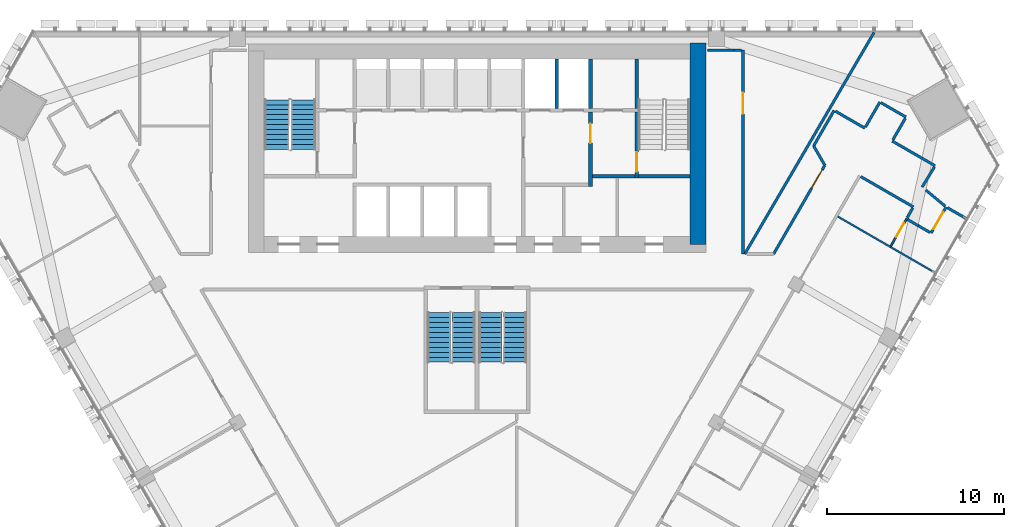
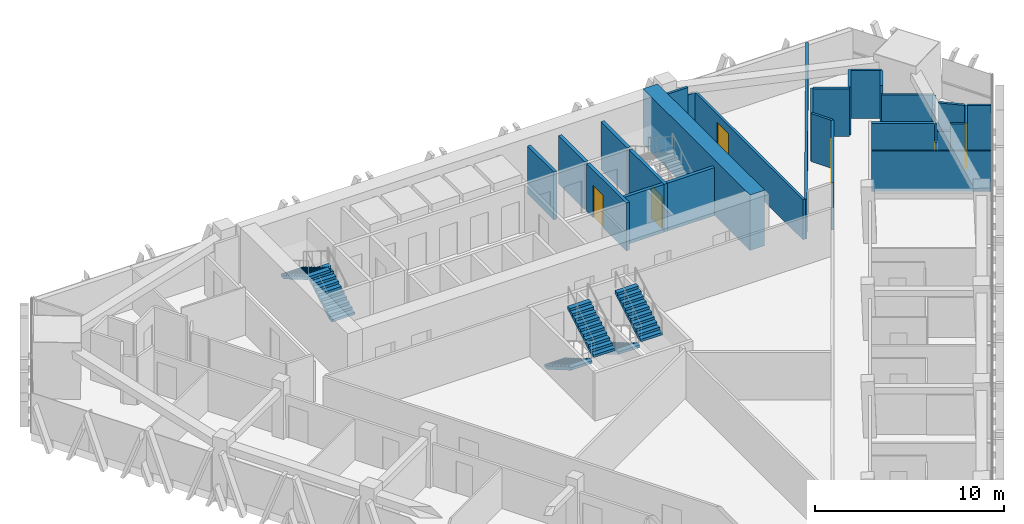
# One storey, part 12 of 16: 30 walls, 6 doors, 6 stair flights, 6 openings, 3 elements without a shape of their own.
"""IFC4 building model written with IfcOpenShell, lengths in metres."""

from ifc_helpers import new_model, si_unit, direction, frame, frame_2d, origin, place, context, subcontext, project, spatial, polyline, rectangle, outline, extrude, material, layer, layer_set, type_object, element, fill, aggregate, save


model = new_model("IFC4")

# Units and contexts
model_context = context("Model", 3, precision=1e-05, world=origin(), true_north=direction((0.0, 1.0)))
body_context = subcontext(model_context, "Body", "Model", "MODEL_VIEW")
ifc_project = project(units=[si_unit("LENGTHUNIT", "METRE"), si_unit("AREAUNIT", "SQUARE_METRE"), si_unit("VOLUMEUNIT", "CUBIC_METRE"), si_unit("PLANEANGLEUNIT", "RADIAN"), si_unit("MASSUNIT", "GRAM", prefix="KILO")], contexts=[model_context])

# Site, building, storey
site_placement = place(None, origin())
site = spatial("IfcSite", under=ifc_project, at=site_placement, CompositionType="ELEMENT")
building_placement = place(site_placement, origin())
building = spatial("IfcBuilding", under=site, at=building_placement, Name="Altiplano Prism Tower", CompositionType="ELEMENT")
storey_placement = place(building_placement, frame((0.0, 0.0, 84.60009765625)))
storey = spatial("IfcBuildingStorey", under=building, at=storey_placement, Name="L21", CompositionType="ELEMENT", Elevation=84.60009765625)

# Wall
ifc_material_1 = material(Name="Concrete C70/85", Category="concrete")
ifc_layer_1 = layer(ifc_material_1, 0.89990234375)
ifc_layer_set_1 = layer_set([ifc_layer_1], Name="Concrete C70/85")
wall_type_1 = type_object("IfcWallType", Name="Core wall 900", PredefinedType="SHEAR", material=ifc_layer_set_1)
wall_1_placement = place(storey_placement, frame((97.449951171875, 92.949951171875, 0.0), z_axis=(0.0, 0.0, 1.0), x_axis=(0.0, 1.0, 0.0)))
element("IfcWall", 1, at=wall_1_placement, inside=storey, type_object=wall_type_1, Name="Core wall E L21", PredefinedType="SHEAR", context=body_context, shape_type="SweptSolid", body=[
    extrude(rectangle(XDim=11.35009765625, YDim=0.89990234375, at=frame_2d((5.675048828125, 0.0))), origin(), (0.0, 0.0, 1.0), 3.599853515625),
])

# Wall, opening, door
ifc_material_2 = material(Name="Plasterboard on steel stud", Category="steel")
ifc_layer_2 = layer(ifc_material_2, 0.10009765625)
ifc_layer_set_2 = layer_set([ifc_layer_2], Name="Plasterboard on steel stud")
wall_type_2 = type_object("IfcWallType", Name="Partition 100 unit", PredefinedType="PARTITIONING", material=ifc_layer_set_2)
wall_2_placement = place(storey_placement, frame((109.229736328125, 94.40087890625, 0.0), z_axis=(0.0, 0.0, 1.0), x_axis=(-0.499962169188, -0.866047244312, 0.0)))
wall_2 = element("IfcWall", 2, at=wall_2_placement, inside=storey, type_object=wall_type_2, Name="Partition P02 L21 075", PredefinedType="PARTITIONING", context=body_context, shape_type="SweptSolid", body=[
    extrude(rectangle(XDim=1.792724609375, YDim=0.10009765625, at=frame_2d((0.896484375, 0.0))), origin(), (0.0, 0.0, 1.0), 3.099853515625),
])
opening_1_placement = place(wall_2_placement, frame((0.2919921875, 0.0, 0.0)))
opening_1 = element("IfcOpeningElement", 3, at=opening_1_placement, cuts=wall_2, Name="Opening D0809", PredefinedType="OPENING", context=body_context, shape_type="SweptSolid", body=[
    extrude(rectangle(XDim=0.89990234375, YDim=2.10009765625, at=frame_2d((0.449951171875, 1.050048828125))), frame((0.0, 0.060546875, 0.0), z_axis=(0.0, -1.0, 0.0), x_axis=(1.0, 0.0, 0.0)), (0.0, 0.0, 1.0), 0.12109375),
])
ifc_material_3 = material(Name="Timber", Category="wood")
door_type_1 = type_object("IfcDoorType", Name="Accessible ensuite door 900 x 2100", OperationType="NOTDEFINED", PredefinedType="NOTDEFINED", material=ifc_material_3)
door_1_placement = place(opening_1_placement, origin())
door_1 = element("IfcDoor", 4, at=door_1_placement, inside=storey, type_object=door_type_1, Name="Door D0809", OperationType="SINGLE_SWING_LEFT", OverallHeight=2.10009765625, OverallWidth=0.89990234375, PredefinedType="NOTDEFINED", context=body_context, shape_type="SweptSolid", body=[
    extrude(rectangle(XDim=0.89990234375, YDim=2.10009765625, at=frame_2d((0.449951171875, 1.050048828125))), frame((0.0, 0.02490234375, 0.0), z_axis=(0.0, -1.0, 0.0), x_axis=(1.0, 0.0, 0.0)), (0.0, 0.0, 1.0), 0.050048828125),
])
fill(opening_1, door_1)

# Walls
ifc_layer_3 = layer(ifc_material_2, 0.10009765625)
ifc_layer_set_3 = layer_set([ifc_layer_3], Name="Plasterboard on steel stud")
wall_type_3 = type_object("IfcWallType", Name="Partition 100 wet", PredefinedType="PARTITIONING", material=ifc_layer_set_3)
wall_3_placement = place(storey_placement, frame((110.837646484375, 91.344970703125, 0.0), z_axis=(0.0, 0.0, 1.0), x_axis=(-0.866025401434, 0.500000004071, 0.0)))
element("IfcWall", 5, at=wall_3_placement, inside=storey, type_object=wall_type_3, Name="Partition P03 L21 074", PredefinedType="PARTITIONING", context=body_context, shape_type="SweptSolid", body=[
    extrude(rectangle(XDim=6.34521484375, YDim=0.10009765625, at=frame_2d((3.172607421875, 0.0))), origin(), (0.0, 0.0, 1.0), 2.599853515625),
])
ifc_layer_4 = layer(ifc_material_2, 0.14990234375)
ifc_layer_set_4 = layer_set([ifc_layer_4], Name="Plasterboard on steel stud")
wall_type_4 = type_object("IfcWallType", Name="Partition 150 corridor", PredefinedType="PARTITIONING", material=ifc_layer_set_4)
wall_4_placement = place(storey_placement, frame((109.26318359375, 94.3583984375, 0.0), z_axis=(0.0, 0.0, 1.0), x_axis=(0.865999022067, -0.500045691691, 0.0)))
element("IfcWall", 6, at=wall_4_placement, inside=storey, type_object=wall_type_4, Name="Partition P06 L21 019", PredefinedType="PARTITIONING", context=body_context, shape_type="SweptSolid", body=[
    extrude(rectangle(XDim=0.71923828125, YDim=0.14990234375, at=frame_2d((0.359619140625, 0.0))), origin(), (0.0, 0.0, 1.0), 2.599853515625),
])
wall_5_placement = place(storey_placement, frame((109.885986328125, 93.998779296875, 0.0), z_axis=(0.0, 0.0, 1.0), x_axis=(0.866147934042, -0.499787711288, 0.0)))
element("IfcWall", 7, at=wall_5_placement, inside=storey, type_object=wall_type_4, Name="Partition P06 L21 020", PredefinedType="PARTITIONING", context=body_context, shape_type="SweptSolid", body=[
    extrude(rectangle(XDim=0.755615234375, YDim=0.14990234375, at=frame_2d((0.3779296875, 0.0))), origin(), (0.0, 0.0, 1.0), 3.099853515625),
])

# Wall, opening, door
wall_6_placement = place(storey_placement, frame((110.60546875, 93.58349609375, 0.0), z_axis=(0.0, 0.0, 1.0), x_axis=(0.500062241894, 0.865989465428, 0.0)))
wall_6 = element("IfcWall", 8, at=wall_6_placement, inside=storey, type_object=wall_type_4, Name="Partition P06 L21 021", PredefinedType="PARTITIONING", context=body_context, shape_type="SweptSolid", body=[
    extrude(rectangle(XDim=1.699951171875, YDim=0.14990234375, at=frame_2d((0.85009765625, 0.0))), origin(), (0.0, 0.0, 1.0), 3.099853515625),
])
opening_2_placement = place(wall_6_placement, frame((0.27294921875, 0.0, 0.0)))
opening_2 = element("IfcOpeningElement", 9, at=opening_2_placement, cuts=wall_6, Name="Opening D0808", PredefinedType="OPENING", context=body_context, shape_type="SweptSolid", body=[
    extrude(rectangle(XDim=1.10009765625, YDim=2.10009765625, at=frame_2d((0.550048828125, 1.050048828125))), frame((0.0, 0.08544921875, 0.0), z_axis=(0.0, -1.0, 0.0), x_axis=(1.0, 0.0, 0.0)), (0.0, 0.0, 1.0), 0.1708984375),
])
door_type_2 = type_object("IfcDoorType", Name="Accessible bedroom door 1100 x 2100", OperationType="NOTDEFINED", PredefinedType="NOTDEFINED", material=ifc_material_3)
door_2_placement = place(opening_2_placement, origin())
door_2 = element("IfcDoor", 10, at=door_2_placement, inside=storey, type_object=door_type_2, Name="Door D0808", OperationType="SINGLE_SWING_LEFT", OverallHeight=2.10009765625, OverallWidth=1.10009765625, PredefinedType="NOTDEFINED", context=body_context, shape_type="SweptSolid", body=[
    extrude(rectangle(XDim=1.10009765625, YDim=2.10009765625, at=frame_2d((0.550048828125, 1.050048828125))), frame((0.0, 0.02490234375, 0.0), z_axis=(0.0, -1.0, 0.0), x_axis=(1.0, 0.0, 0.0)), (0.0, 0.0, 1.0), 0.050048828125),
])
fill(opening_2, door_2)

# Walls
wall_7_placement = place(storey_placement, frame((106.642578125, 96.769287109375, 0.0), z_axis=(0.0, 0.0, 1.0), x_axis=(0.866032454348, -0.499987787867, 0.0)))
element("IfcWall", 11, at=wall_7_placement, inside=storey, type_object=wall_type_4, Name="Partition P06 L21 022", PredefinedType="PARTITIONING", context=body_context, shape_type="SweptSolid", body=[
    extrude(rectangle(XDim=3.4248046875, YDim=0.14990234375, at=frame_2d((1.71240234375, 0.0))), origin(), (0.0, 0.0, 1.0), 2.599853515625),
])
wall_8_placement = place(storey_placement, frame((109.571044921875, 94.991943359375, 0.0), z_axis=(0.0, 0.0, 1.0), x_axis=(-0.499946979623, -0.86605601295, 0.0)))
element("IfcWall", 12, at=wall_8_placement, inside=storey, type_object=wall_type_4, Name="Partition P06 L21 023", PredefinedType="PARTITIONING", context=body_context, shape_type="SweptSolid", body=[
    extrude(rectangle(XDim=0.62744140625, YDim=0.14990234375, at=frame_2d((0.313720703125, 0.0))), origin(), (0.0, 0.0, 1.0), 2.599853515625),
])
wall_9_placement = place(storey_placement, frame((111.398681640625, 95.10302734375, 0.0), z_axis=(0.0, 0.0, 1.0), x_axis=(-0.768628678723, 0.639695204175, 0.0)))
element("IfcWall", 13, at=wall_9_placement, inside=storey, type_object=wall_type_4, Name="Partition P06 L21 024", PredefinedType="PARTITIONING", context=body_context, shape_type="SweptSolid", body=[
    extrude(rectangle(XDim=1.423828125, YDim=0.14990234375, at=frame_2d((0.7119140625, 0.0))), origin(), (0.0, 0.0, 1.0), 3.099853515625),
])
wall_10_placement = place(storey_placement, frame((110.1044921875, 96.18017578125, 0.0), z_axis=(0.0, 0.0, 1.0), x_axis=(0.519795010513, 0.854291020113, 0.0)))
element("IfcWall", 14, at=wall_10_placement, inside=storey, type_object=wall_type_4, Name="Partition P06 L21 025", PredefinedType="PARTITIONING", context=body_context, shape_type="SweptSolid", body=[
    extrude(rectangle(XDim=1.325439453125, YDim=0.14990234375, at=frame_2d((0.66259765625, 0.0))), origin(), (0.0, 0.0, 1.0), 2.599853515625),
])
wall_11_placement = place(storey_placement, frame((110.833251953125, 97.3779296875, 0.0), z_axis=(0.0, 0.0, 1.0), x_axis=(-0.866008041136, 0.500030071784, 0.0)))
element("IfcWall", 15, at=wall_11_placement, inside=storey, type_object=wall_type_4, Name="Partition P06 L21 026", PredefinedType="PARTITIONING", context=body_context, shape_type="SweptSolid", body=[
    extrude(rectangle(XDim=2.793701171875, YDim=0.14990234375, at=frame_2d((1.39697265625, 0.0))), origin(), (0.0, 0.0, 1.0), 2.599853515625),
])
wall_12_placement = place(storey_placement, frame((108.451416015625, 98.83984375, 0.0), z_axis=(0.0, 0.0, 1.0), x_axis=(0.499967986367, 0.866043886075, 0.0)))
element("IfcWall", 16, at=wall_12_placement, inside=storey, type_object=wall_type_4, Name="Partition P06 L21 027", PredefinedType="PARTITIONING", context=body_context, shape_type="SweptSolid", body=[
    extrude(rectangle(XDim=1.40576171875, YDim=0.14990234375, at=frame_2d((0.702880859375, 0.0))), origin(), (0.0, 0.0, 1.0), 3.099853515625),
])
for number, where, z_axis, x_axis, name in (
    (17, (109.191650390625, 100.122314453125, 0.0), (0.0, 0.0, 1.0), (-0.866015446554, 0.500017246033, 0.0), "Partition P06 L21 028"),
    (18, (107.719482421875, 100.97216796875, 0.0), (0.0, 0.0, 1.0), (-0.500017246033, -0.866015446554, 0.0), "Partition P06 L21 029"),
):
    element("IfcWall", number, at=place(storey_placement, frame(where, z_axis=z_axis, x_axis=x_axis)), inside=storey, type_object=wall_type_4, Name=name, PredefinedType="PARTITIONING", context=body_context, shape_type="SweptSolid", body=[
        extrude(rectangle(XDim=1.625, YDim=0.14990234375, at=frame_2d((0.8125, 0.0))), origin(), (0.0, 0.0, 1.0), 3.099853515625),
    ])
wall_13_placement = place(storey_placement, frame((106.869384765625, 99.5, 0.0), z_axis=(0.0, 0.0, 1.0), x_axis=(-0.866033512162, 0.499985955615, 0.0)))
element("IfcWall", 19, at=wall_13_placement, inside=storey, type_object=wall_type_4, Name="Partition P06 L21 030", PredefinedType="PARTITIONING", context=body_context, shape_type="SweptSolid", body=[
    extrude(rectangle(XDim=1.9248046875, YDim=0.14990234375, at=frame_2d((0.96240234375, 0.0))), origin(), (0.0, 0.0, 1.0), 3.099853515625),
])
wall_14_placement = place(storey_placement, frame((105.137451171875, 100.5, 0.0), z_axis=(0.0, 0.0, 1.0), x_axis=(-0.500027479704, -0.866009537788, 0.0)))
element("IfcWall", 20, at=wall_14_placement, inside=storey, type_object=wall_type_4, Name="Partition P06 L21 031", PredefinedType="PARTITIONING", context=body_context, shape_type="SweptSolid", body=[
    extrude(rectangle(XDim=2.309326171875, YDim=0.14990234375, at=frame_2d((1.15478515625, 0.0))), origin(), (0.0, 0.0, 1.0), 3.099853515625),
])
wall_15_placement = place(storey_placement, frame((103.982666015625, 98.5, 0.0), z_axis=(0.0, 0.0, 1.0), x_axis=(0.500068251969, -0.865985994906, 0.0)))
element("IfcWall", 21, at=wall_15_placement, inside=storey, type_object=wall_type_4, Name="Partition P06 L21 032", PredefinedType="PARTITIONING", context=body_context, shape_type="SweptSolid", body=[
    extrude(rectangle(XDim=1.262939453125, YDim=0.14990234375, at=frame_2d((0.63134765625, 0.0))), origin(), (0.0, 0.0, 1.0), 3.099853515625),
])

# Wall, opening, door
wall_16_placement = place(storey_placement, frame((104.6142578125, 97.40625, 0.0), z_axis=(0.0, 0.0, 1.0), x_axis=(-0.4999954192, -0.866028048494, 0.0)))
wall_16 = element("IfcWall", 22, at=wall_16_placement, inside=storey, type_object=wall_type_4, Name="Partition P06 L21 033", PredefinedType="PARTITIONING", context=body_context, shape_type="SweptSolid", body=[
    extrude(rectangle(XDim=5.78076171875, YDim=0.14990234375, at=frame_2d((2.890380859375, 0.0))), origin(), (0.0, 0.0, 1.0), 3.099853515625),
])
opening_3_placement = place(wall_16_placement, frame((0.2890625, 0.0, 0.0)))
opening_3 = element("IfcOpeningElement", 23, at=opening_3_placement, cuts=wall_16, Name="Opening D0810", PredefinedType="OPENING", context=body_context, shape_type="SweptSolid", body=[
    extrude(rectangle(XDim=1.199951171875, YDim=2.10009765625, at=frame_2d((0.60009765625, 1.050048828125))), frame((0.0, 0.08544921875, 0.0), z_axis=(0.0, -1.0, 0.0), x_axis=(1.0, 0.0, 0.0)), (0.0, 0.0, 1.0), 0.1708984375),
])
door_type_3 = type_object("IfcDoorType", Name="Shared room door 1200 x 2100", OperationType="NOTDEFINED", PredefinedType="NOTDEFINED", material=ifc_material_3)
door_3_placement = place(opening_3_placement, origin())
door_3 = element("IfcDoor", 24, at=door_3_placement, inside=storey, type_object=door_type_3, Name="Door D0810", OperationType="SINGLE_SWING_LEFT", OverallHeight=2.10009765625, OverallWidth=1.199951171875, PredefinedType="NOTDEFINED", context=body_context, shape_type="SweptSolid", body=[
    extrude(rectangle(XDim=1.199951171875, YDim=2.10009765625, at=frame_2d((0.60009765625, 1.050048828125))), frame((0.0, 0.02490234375, 0.0), z_axis=(0.0, -1.0, 0.0), x_axis=(1.0, 0.0, 0.0)), (0.0, 0.0, 1.0), 0.050048828125),
])
fill(opening_3, door_3)

wall_17_placement = place(storey_placement, frame((100.0, 92.39990234375, 0.0), z_axis=(0.0, 0.0, 1.0), x_axis=(0.0, 1.0, 0.0)))
wall_17 = element("IfcWall", 25, at=wall_17_placement, inside=storey, type_object=wall_type_4, Name="Partition P06 L21 039", PredefinedType="PARTITIONING", context=body_context, shape_type="SweptSolid", body=[
    extrude(rectangle(XDim=11.5, YDim=0.14990234375, at=frame_2d((5.75, 0.0))), origin(), (0.0, 0.0, 1.0), 2.599853515625),
])
opening_4_placement = place(wall_17_placement, frame((7.909912109375, 0.0, 0.0)))
opening_4 = element("IfcOpeningElement", 26, at=opening_4_placement, cuts=wall_17, Name="Opening D0814", PredefinedType="OPENING", context=body_context, shape_type="SweptSolid", body=[
    extrude(rectangle(XDim=1.199951171875, YDim=2.10009765625, at=frame_2d((0.60009765625, 1.050048828125))), frame((0.0, 0.08544921875, 0.0), z_axis=(0.0, -1.0, 0.0), x_axis=(1.0, 0.0, 0.0)), (0.0, 0.0, 1.0), 0.1708984375),
])
door_4_placement = place(opening_4_placement, origin())
door_4 = element("IfcDoor", 27, at=door_4_placement, inside=storey, type_object=door_type_3, Name="Door D0814", OperationType="SINGLE_SWING_LEFT", OverallHeight=2.10009765625, OverallWidth=1.199951171875, PredefinedType="NOTDEFINED", context=body_context, shape_type="SweptSolid", body=[
    extrude(rectangle(XDim=1.199951171875, YDim=2.10009765625, at=frame_2d((0.60009765625, 1.050048828125))), frame((0.0, 0.02490234375, 0.0), z_axis=(0.0, -1.0, 0.0), x_axis=(1.0, 0.0, 0.0)), (0.0, 0.0, 1.0), 0.050048828125),
])
fill(opening_4, door_4)

# Walls
wall_18_placement = place(storey_placement, frame((99.925048828125, 103.89990234375, 0.0), z_axis=(0.0, 0.0, 1.0), x_axis=(-1.0, 0.0, 0.0)))
element("IfcWall", 28, at=wall_18_placement, inside=storey, type_object=wall_type_4, Name="Partition P06 L21 040", PredefinedType="PARTITIONING", context=body_context, shape_type="SweptSolid", body=[
    extrude(rectangle(XDim=0.43310546875, YDim=0.14990234375, at=frame_2d((0.216552734375, 0.0))), origin(), (0.0, 0.0, 1.0), 2.599853515625),
])
wall_19_placement = place(storey_placement, frame((99.491943359375, 103.89990234375, 0.0), z_axis=(0.0, 0.0, 1.0), x_axis=(-1.0, 0.0, 0.0)))
element("IfcWall", 29, at=wall_19_placement, inside=storey, type_object=wall_type_4, Name="Partition P06 L21 041", PredefinedType="PARTITIONING", context=body_context, shape_type="SweptSolid", body=[
    extrude(rectangle(XDim=1.491943359375, YDim=0.14990234375, at=frame_2d((0.74609375, 0.0))), origin(), (0.0, 0.0, 1.0), 3.099853515625),
])
ifc_layer_5 = layer(ifc_material_2, 0.14990234375)
ifc_layer_set_5 = layer_set([ifc_layer_5], Name="Plasterboard on steel stud")
wall_type_5 = type_object("IfcWallType", Name="Partition 150 party", PredefinedType="PARTITIONING", material=ifc_layer_set_5)
wall_20_placement = place(storey_placement, frame((112.5986328125, 94.395751953125, 0.0), z_axis=(0.0, 0.0, 1.0), x_axis=(-0.865989634427, 0.500061949227, 0.0)))
element("IfcWall", 30, at=wall_20_placement, inside=storey, type_object=wall_type_5, Name="Partition P01 L21 076", PredefinedType="PARTITIONING", context=body_context, shape_type="SweptSolid", body=[
    extrude(rectangle(XDim=1.244873046875, YDim=0.14990234375, at=frame_2d((0.62255859375, 0.0))), origin(), (0.0, 0.0, 1.0), 3.099853515625),
])
wall_21_placement = place(storey_placement, frame((107.3916015625, 104.89990234375, 0.0), z_axis=(0.0, 0.0, 1.0), x_axis=(-0.504080788187, -0.863656505204, 0.0)))
element("IfcWall", 31, at=wall_21_placement, inside=storey, type_object=wall_type_5, Name="Partition P01 L21 077", PredefinedType="PARTITIONING", context=body_context, shape_type="SweptSolid", body=[
    extrude(rectangle(XDim=14.47216796875, YDim=0.14990234375, at=frame_2d((7.236083984375, 0.0))), origin(), (0.0, 0.0, 1.0), 2.599853515625),
])
ifc_material_4 = material(Name="Concrete C60/75", Category="concrete")
ifc_layer_6 = layer(ifc_material_4, 0.199951171875)
ifc_layer_set_6 = layer_set([ifc_layer_6], Name="Concrete C60/75")
wall_type_6 = type_object("IfcWallType", Name="Shaft wall 200", PredefinedType="SOLIDWALL", material=ifc_layer_set_6)
for number, where, z_axis, x_axis, name in (
    (32, (89.5, 100.60009765625, 0.0), (0.0, 0.0, 1.0), (0.0, 1.0, 0.0), "Shaft wall L21"),
    (33, (91.39990234375, 100.60009765625, 0.0), (0.0, 0.0, 1.0), (0.0, 1.0, 0.0), "Shaft wall L21"),
):
    element("IfcWall", number, at=place(storey_placement, frame(where, z_axis=z_axis, x_axis=x_axis)), inside=storey, type_object=wall_type_6, Name=name, PredefinedType="SOLIDWALL", context=body_context, shape_type="SweptSolid", body=[
        extrude(rectangle(XDim=2.7998046875, YDim=0.199951171875, at=frame_2d((1.39990234375, 0.0))), origin(), (0.0, 0.0, 1.0), 3.099853515625),
    ])

# Wall, opening, door
ifc_layer_7 = layer(ifc_material_4, 0.199951171875)
ifc_layer_set_7 = layer_set([ifc_layer_7], Name="Concrete C60/75")
wall_type_7 = type_object("IfcWallType", Name="Stair wall 200", PredefinedType="SOLIDWALL", material=ifc_layer_set_7)
wall_22_placement = place(storey_placement, frame((94.0, 96.699951171875, 0.0), z_axis=(0.0, 0.0, 1.0), x_axis=(0.0, 1.0, 0.0)))
wall_22 = element("IfcWall", 34, at=wall_22_placement, inside=storey, type_object=wall_type_7, Name="Stair wall L21", PredefinedType="SOLIDWALL", context=body_context, shape_type="SweptSolid", body=[
    extrude(rectangle(XDim=3.699951171875, YDim=0.199951171875, at=frame_2d((1.85009765625, 0.0))), origin(), (0.0, 0.0, 1.0), 3.099853515625),
])
opening_5_placement = place(wall_22_placement, frame((0.35009765625, 0.0, 0.0)))
opening_5 = element("IfcOpeningElement", 35, at=opening_5_placement, cuts=wall_22, Name="Opening D2870", PredefinedType="OPENING", context=body_context, shape_type="SweptSolid", body=[
    extrude(rectangle(XDim=1.10009765625, YDim=2.10009765625, at=frame_2d((0.550048828125, 1.050048828125))), frame((0.0, 0.1103515625, 0.0), z_axis=(0.0, -1.0, 0.0), x_axis=(1.0, 0.0, 0.0)), (0.0, 0.0, 1.0), 0.220947265625),
])
ifc_material_5 = material(Name="Fire-rated steel door", Category="steel")
door_type_4 = type_object("IfcDoorType", Name="Stair fire door 1100 x 2100", OperationType="NOTDEFINED", PredefinedType="NOTDEFINED", material=ifc_material_5)
door_5_placement = place(opening_5_placement, origin())
door_5 = element("IfcDoor", 36, at=door_5_placement, inside=storey, type_object=door_type_4, Name="Stair fire door D2870", OperationType="SINGLE_SWING_LEFT", OverallHeight=2.10009765625, OverallWidth=1.10009765625, PredefinedType="NOTDEFINED", context=body_context, shape_type="SweptSolid", body=[
    extrude(rectangle(XDim=1.10009765625, YDim=2.10009765625, at=frame_2d((0.550048828125, 1.050048828125))), frame((0.0, 0.02490234375, 0.0), z_axis=(0.0, -1.0, 0.0), x_axis=(1.0, 0.0, 0.0)), (0.0, 0.0, 1.0), 0.050048828125),
])
fill(opening_5, door_5)

# Walls
wall_23_placement = place(storey_placement, frame((94.10009765625, 96.800048828125, 0.0), z_axis=(0.0, 0.0, 1.0), x_axis=(1.0, 0.0, 0.0)))
element("IfcWall", 37, at=wall_23_placement, inside=storey, type_object=wall_type_7, Name="Stair wall L21", PredefinedType="SOLIDWALL", context=body_context, shape_type="SweptSolid", body=[
    extrude(rectangle(XDim=2.89990234375, YDim=0.199951171875, at=frame_2d((1.449951171875, 0.0))), origin(), (0.0, 0.0, 1.0), 3.099853515625),
])
wall_24_placement = place(storey_placement, frame((94.0, 100.60009765625, 0.0), z_axis=(0.0, 0.0, 1.0), x_axis=(0.0, 1.0, 0.0)))
element("IfcWall", 38, at=wall_24_placement, inside=storey, type_object=wall_type_7, Name="Stair wall L21", PredefinedType="SOLIDWALL", context=body_context, shape_type="SweptSolid", body=[
    extrude(rectangle(XDim=2.7998046875, YDim=0.199951171875, at=frame_2d((1.39990234375, 0.0))), origin(), (0.0, 0.0, 1.0), 3.099853515625),
])

# Wall, opening, door
ifc_layer_8 = layer(ifc_material_4, 0.199951171875)
ifc_layer_set_8 = layer_set([ifc_layer_8], Name="Concrete C60/75")
wall_type_8 = type_object("IfcWallType", Name="Vestibule wall 200", PredefinedType="PARTITIONING", material=ifc_layer_set_8)
wall_25_placement = place(storey_placement, frame((91.39990234375, 96.199951171875, 0.0), z_axis=(0.0, 0.0, 1.0), x_axis=(0.0, 1.0, 0.0)))
wall_25 = element("IfcWall", 39, at=wall_25_placement, inside=storey, type_object=wall_type_8, Name="Vestibule wall L21", PredefinedType="PARTITIONING", context=body_context, shape_type="SweptSolid", body=[
    extrude(rectangle(XDim=4.199951171875, YDim=0.199951171875, at=frame_2d((2.10009765625, 0.0))), origin(), (0.0, 0.0, 1.0), 3.099853515625),
])
opening_6_placement = place(wall_25_placement, frame((2.449951171875, 0.0, 0.0)))
opening_6 = element("IfcOpeningElement", 40, at=opening_6_placement, cuts=wall_25, Name="Opening D2873", PredefinedType="OPENING", context=body_context, shape_type="SweptSolid", body=[
    extrude(rectangle(XDim=1.10009765625, YDim=2.10009765625, at=frame_2d((0.550048828125, 1.050048828125))), frame((0.0, 0.1103515625, 0.0), z_axis=(0.0, -1.0, 0.0), x_axis=(1.0, 0.0, 0.0)), (0.0, 0.0, 1.0), 0.220947265625),
])
door_type_5 = type_object("IfcDoorType", Name="Vestibule fire door 1100 x 2100", OperationType="NOTDEFINED", PredefinedType="NOTDEFINED", material=ifc_material_5)
door_6_placement = place(opening_6_placement, origin())
door_6 = element("IfcDoor", 41, at=door_6_placement, inside=storey, type_object=door_type_5, Name="Vestibule fire door D2873", OperationType="SINGLE_SWING_LEFT", OverallHeight=2.10009765625, OverallWidth=1.10009765625, PredefinedType="NOTDEFINED", context=body_context, shape_type="SweptSolid", body=[
    extrude(rectangle(XDim=1.10009765625, YDim=2.10009765625, at=frame_2d((0.550048828125, 1.050048828125))), frame((0.0, 0.02490234375, 0.0), z_axis=(0.0, -1.0, 0.0), x_axis=(1.0, 0.0, 0.0)), (0.0, 0.0, 1.0), 0.050048828125),
])
fill(opening_6, door_6)

# Wall
wall_26_placement = place(storey_placement, frame((91.5, 96.800048828125, 0.0), z_axis=(0.0, 0.0, 1.0), x_axis=(1.0, 0.0, 0.0)))
element("IfcWall", 42, at=wall_26_placement, inside=storey, type_object=wall_type_8, Name="Vestibule wall L21", PredefinedType="PARTITIONING", context=body_context, shape_type="SweptSolid", body=[
    extrude(rectangle(XDim=2.39990234375, YDim=0.199951171875, at=frame_2d((1.199951171875, 0.0))), origin(), (0.0, 0.0, 1.0), 3.099853515625),
])

# Stair, stair flights
ifc_material_6 = material(Name="Concrete C40/50", Category="concrete")
stair_type_1 = type_object("IfcStairType", Name="Exit stair 1400", PredefinedType="HALF_TURN_STAIR", material=ifc_material_6)
stair_1_placement = place(storey_placement, origin())
stair_1 = element("IfcStair", 43, at=stair_1_placement, inside=storey, type_object=stair_type_1, Name="L21 Exit Stair 1", PredefinedType="HALF_TURN_STAIR")
stair_flight_type = type_object("IfcStairFlightType", Name="Stair flight concrete 150", PredefinedType="STRAIGHT", material=ifc_material_6)
stair_flight_1_placement = place(storey_placement, frame((75.199951171875, 98.300048828125, 0.0), z_axis=(0.0, 0.0, 1.0), x_axis=(0.0, 1.0, 0.0)))
stair_flight_1 = element("IfcStairFlight", 44, at=stair_flight_1_placement, type_object=stair_flight_type, Name="ST1 flight 1", NumberOfRisers=11, NumberOfTreads=10, PredefinedType="STRAIGHT", RiserHeight=0.163636364, TreadLength=0.28, context=body_context, shape_type="SweptSolid", body=[
    extrude(outline(polyline([(0.0, 0.0), (0.0, 0.16357421875), (0.280029296875, 0.16357421875), (0.280029296875, 0.327392578125), (0.56005859375, 0.327392578125), (0.56005859375, 0.490966796875), (0.840087890625, 0.490966796875), (0.840087890625, 0.654541015625), (1.1201171875, 0.654541015625), (1.1201171875, 0.818115234375), (1.39990234375, 0.818115234375), (1.39990234375, 0.98193359375), (1.679931640625, 0.98193359375), (1.679931640625, 1.1455078125), (1.9599609375, 1.1455078125), (1.9599609375, 1.30908203125), (2.239990234375, 1.30908203125), (2.239990234375, 1.47265625), (2.52001953125, 1.47265625), (2.52001953125, 1.636474609375), (2.800048828125, 1.636474609375), (2.800048828125, 1.800048828125), (2.800048828125, 1.462646484375), (0.297119140625, 0.0), (0.0, 0.0)])), frame((0.0, 0.699951171875, 0.0), z_axis=(0.0, -1.0, 0.0), x_axis=(1.0, 0.0, 0.0)), (0.0, 0.0, 1.0), 1.39990234375),
])
stair_flight_2_placement = place(storey_placement, frame((73.699951171875, 101.10009765625, 1.7998046875), z_axis=(0.0, 0.0, 1.0), x_axis=(0.0, -1.0, 0.0)))
stair_flight_2 = element("IfcStairFlight", 45, at=stair_flight_2_placement, type_object=stair_flight_type, Name="ST1 flight 2", NumberOfRisers=11, NumberOfTreads=10, PredefinedType="STRAIGHT", RiserHeight=0.163636364, TreadLength=0.28, context=body_context, shape_type="SweptSolid", body=[
    extrude(outline(polyline([(0.0, 0.0), (0.0, 0.16357421875), (0.280029296875, 0.16357421875), (0.280029296875, 0.327392578125), (0.56005859375, 0.327392578125), (0.56005859375, 0.490966796875), (0.840087890625, 0.490966796875), (0.840087890625, 0.654541015625), (1.1201171875, 0.654541015625), (1.1201171875, 0.818115234375), (1.39990234375, 0.818115234375), (1.39990234375, 0.98193359375), (1.679931640625, 0.98193359375), (1.679931640625, 1.1455078125), (1.9599609375, 1.1455078125), (1.9599609375, 1.30908203125), (2.239990234375, 1.30908203125), (2.239990234375, 1.47265625), (2.52001953125, 1.47265625), (2.52001953125, 1.636474609375), (2.800048828125, 1.636474609375), (2.800048828125, 1.800048828125), (2.800048828125, 1.462646484375), (0.297119140625, 0.0), (0.0, 0.0)])), frame((0.0, 0.699951171875, 0.0), z_axis=(0.0, -1.0, 0.0), x_axis=(1.0, 0.0, 0.0)), (0.0, 0.0, 1.0), 1.39990234375),
])
aggregate(stair_1, [stair_flight_1, stair_flight_2])

stair_type_2 = type_object("IfcStairType", Name="Exit stair 1300", PredefinedType="HALF_TURN_STAIR", material=ifc_material_6)
stair_2_placement = place(storey_placement, origin())
stair_2 = element("IfcStair", 46, at=stair_2_placement, inside=storey, type_object=stair_type_2, Name="L21 Exit Stair 3A", PredefinedType="HALF_TURN_STAIR")
stair_flight_3_placement = place(storey_placement, frame((82.85009765625, 89.10009765625, 0.0), z_axis=(0.0, 0.0, 1.0), x_axis=(0.0, -1.0, 0.0)))
stair_flight_3 = element("IfcStairFlight", 47, at=stair_flight_3_placement, type_object=stair_flight_type, Name="ST3A flight 1", NumberOfRisers=11, NumberOfTreads=10, PredefinedType="STRAIGHT", RiserHeight=0.163636364, TreadLength=0.28, context=body_context, shape_type="SweptSolid", body=[
    extrude(outline(polyline([(0.0, 0.0), (0.0, 0.16357421875), (0.280029296875, 0.16357421875), (0.280029296875, 0.327392578125), (0.56005859375, 0.327392578125), (0.56005859375, 0.490966796875), (0.840087890625, 0.490966796875), (0.840087890625, 0.654541015625), (1.1201171875, 0.654541015625), (1.1201171875, 0.818115234375), (1.39990234375, 0.818115234375), (1.39990234375, 0.98193359375), (1.679931640625, 0.98193359375), (1.679931640625, 1.1455078125), (1.9599609375, 1.1455078125), (1.9599609375, 1.30908203125), (2.239990234375, 1.30908203125), (2.239990234375, 1.47265625), (2.52001953125, 1.47265625), (2.52001953125, 1.636474609375), (2.800048828125, 1.636474609375), (2.800048828125, 1.800048828125), (2.800048828125, 1.462646484375), (0.297119140625, 0.0), (0.0, 0.0)])), frame((0.0, 0.64990234375, 0.0), z_axis=(0.0, -1.0, 0.0), x_axis=(1.0, 0.0, 0.0)), (0.0, 0.0, 1.0), 1.300048828125),
])
stair_flight_4_placement = place(storey_placement, frame((84.25, 86.300048828125, 1.7998046875), z_axis=(0.0, 0.0, 1.0), x_axis=(0.0, 1.0, 0.0)))
stair_flight_4 = element("IfcStairFlight", 48, at=stair_flight_4_placement, type_object=stair_flight_type, Name="ST3A flight 2", NumberOfRisers=11, NumberOfTreads=10, PredefinedType="STRAIGHT", RiserHeight=0.163636364, TreadLength=0.28, context=body_context, shape_type="SweptSolid", body=[
    extrude(outline(polyline([(0.0, 0.0), (0.0, 0.16357421875), (0.280029296875, 0.16357421875), (0.280029296875, 0.327392578125), (0.56005859375, 0.327392578125), (0.56005859375, 0.490966796875), (0.840087890625, 0.490966796875), (0.840087890625, 0.654541015625), (1.1201171875, 0.654541015625), (1.1201171875, 0.818115234375), (1.39990234375, 0.818115234375), (1.39990234375, 0.98193359375), (1.679931640625, 0.98193359375), (1.679931640625, 1.1455078125), (1.9599609375, 1.1455078125), (1.9599609375, 1.30908203125), (2.239990234375, 1.30908203125), (2.239990234375, 1.47265625), (2.52001953125, 1.47265625), (2.52001953125, 1.636474609375), (2.800048828125, 1.636474609375), (2.800048828125, 1.800048828125), (2.800048828125, 1.462646484375), (0.297119140625, 0.0), (0.0, 0.0)])), frame((0.0, 0.64990234375, 0.0), z_axis=(0.0, -1.0, 0.0), x_axis=(1.0, 0.0, 0.0)), (0.0, 0.0, 1.0), 1.300048828125),
])
aggregate(stair_2, [stair_flight_3, stair_flight_4])

stair_3_placement = place(storey_placement, origin())
stair_3 = element("IfcStair", 49, at=stair_3_placement, inside=storey, type_object=stair_type_2, Name="L21 Exit Stair 3B", PredefinedType="HALF_TURN_STAIR")
stair_flight_5_placement = place(storey_placement, frame((85.75, 89.10009765625, 0.0), z_axis=(0.0, 0.0, 1.0), x_axis=(0.0, -1.0, 0.0)))
stair_flight_5 = element("IfcStairFlight", 50, at=stair_flight_5_placement, type_object=stair_flight_type, Name="ST3B flight 1", NumberOfRisers=11, NumberOfTreads=10, PredefinedType="STRAIGHT", RiserHeight=0.163636364, TreadLength=0.28, context=body_context, shape_type="SweptSolid", body=[
    extrude(outline(polyline([(0.0, 0.0), (0.0, 0.16357421875), (0.280029296875, 0.16357421875), (0.280029296875, 0.327392578125), (0.56005859375, 0.327392578125), (0.56005859375, 0.490966796875), (0.840087890625, 0.490966796875), (0.840087890625, 0.654541015625), (1.1201171875, 0.654541015625), (1.1201171875, 0.818115234375), (1.39990234375, 0.818115234375), (1.39990234375, 0.98193359375), (1.679931640625, 0.98193359375), (1.679931640625, 1.1455078125), (1.9599609375, 1.1455078125), (1.9599609375, 1.30908203125), (2.239990234375, 1.30908203125), (2.239990234375, 1.47265625), (2.52001953125, 1.47265625), (2.52001953125, 1.636474609375), (2.800048828125, 1.636474609375), (2.800048828125, 1.800048828125), (2.800048828125, 1.462646484375), (0.297119140625, 0.0), (0.0, 0.0)])), frame((0.0, 0.64990234375, 0.0), z_axis=(0.0, -1.0, 0.0), x_axis=(1.0, 0.0, 0.0)), (0.0, 0.0, 1.0), 1.300048828125),
])
stair_flight_6_placement = place(storey_placement, frame((87.14990234375, 86.300048828125, 1.7998046875), z_axis=(0.0, 0.0, 1.0), x_axis=(0.0, 1.0, 0.0)))
stair_flight_6 = element("IfcStairFlight", 51, at=stair_flight_6_placement, type_object=stair_flight_type, Name="ST3B flight 2", NumberOfRisers=11, NumberOfTreads=10, PredefinedType="STRAIGHT", RiserHeight=0.163636364, TreadLength=0.28, context=body_context, shape_type="SweptSolid", body=[
    extrude(outline(polyline([(0.0, 0.0), (0.0, 0.16357421875), (0.280029296875, 0.16357421875), (0.280029296875, 0.327392578125), (0.56005859375, 0.327392578125), (0.56005859375, 0.490966796875), (0.840087890625, 0.490966796875), (0.840087890625, 0.654541015625), (1.1201171875, 0.654541015625), (1.1201171875, 0.818115234375), (1.39990234375, 0.818115234375), (1.39990234375, 0.98193359375), (1.679931640625, 0.98193359375), (1.679931640625, 1.1455078125), (1.9599609375, 1.1455078125), (1.9599609375, 1.30908203125), (2.239990234375, 1.30908203125), (2.239990234375, 1.47265625), (2.52001953125, 1.47265625), (2.52001953125, 1.636474609375), (2.800048828125, 1.636474609375), (2.800048828125, 1.800048828125), (2.800048828125, 1.462646484375), (0.297119140625, 0.0), (0.0, 0.0)])), frame((0.0, 0.64990234375, 0.0), z_axis=(0.0, -1.0, 0.0), x_axis=(1.0, 0.0, 0.0)), (0.0, 0.0, 1.0), 1.300048828125),
])
aggregate(stair_3, [stair_flight_5, stair_flight_6])

save(model, "model.ifc")
